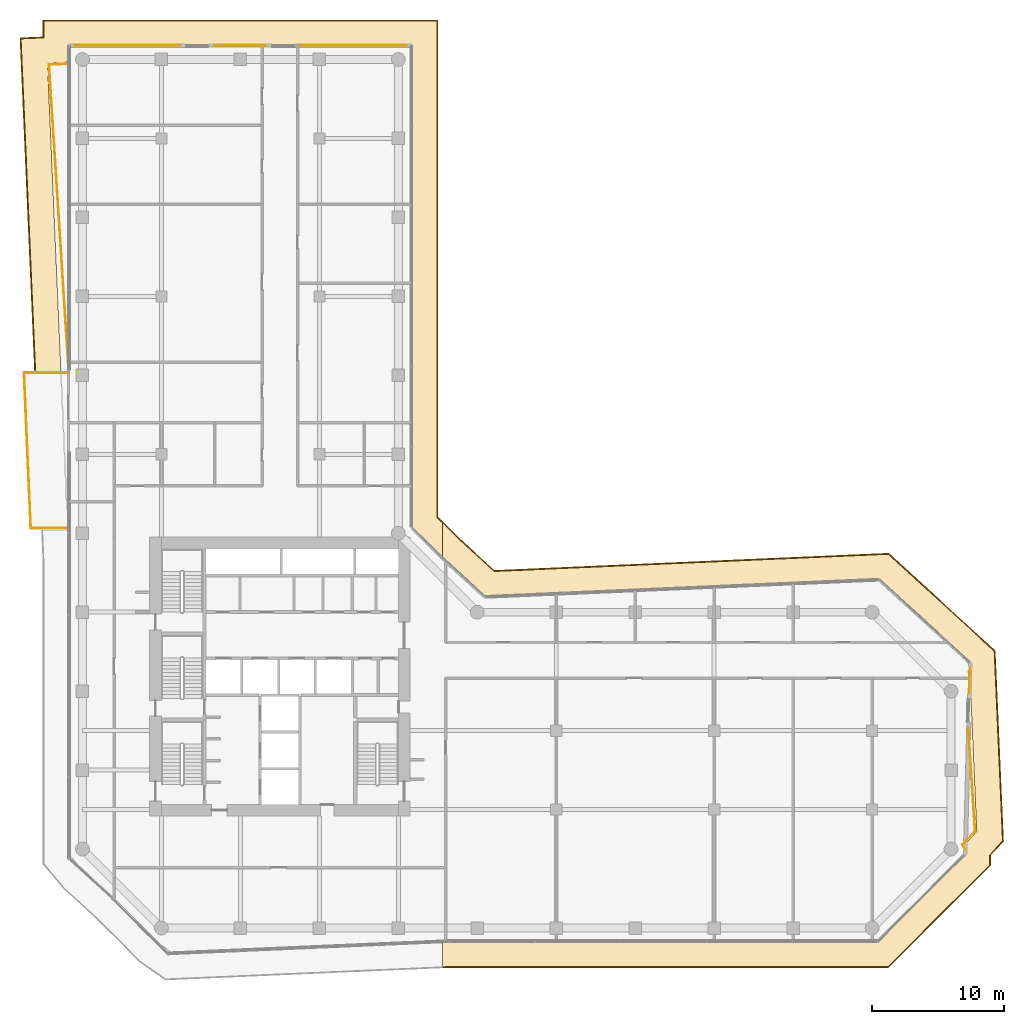
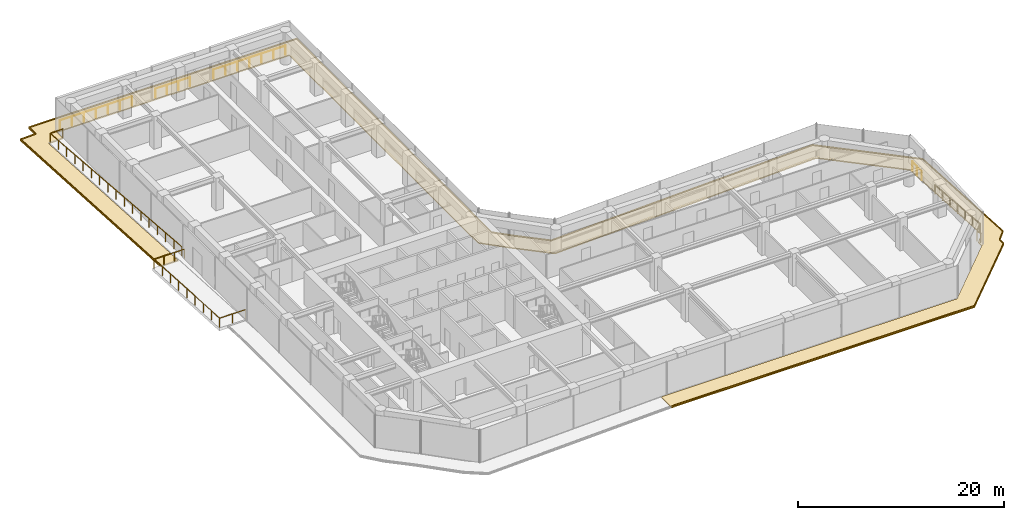
# One storey, part 29 of 29: 7 railings, 4 coverings.
"""IFC4 building model written with IfcOpenShell, lengths in metres."""

from ifc_helpers import new_model, si_unit, direction, frame, origin, origin_2d, place, context, subcontext, project, spatial, polyline, circle, outline, extrude, material, layer, layer_set, type_object, element, save


model = new_model("IFC4")

# Units and contexts
model_context = context("Model", 3, precision=1e-05, world=origin(), true_north=direction((0.0, 1.0)))
body_context = subcontext(model_context, "Body", "Model", "MODEL_VIEW")
ifc_project = project(units=[si_unit("LENGTHUNIT", "METRE"), si_unit("AREAUNIT", "SQUARE_METRE"), si_unit("VOLUMEUNIT", "CUBIC_METRE"), si_unit("PLANEANGLEUNIT", "RADIAN"), si_unit("MASSUNIT", "GRAM", prefix="KILO")], contexts=[model_context])

# Site, building, storey
site_placement = place(None, origin())
site = spatial("IfcSite", under=ifc_project, at=site_placement, CompositionType="ELEMENT")
building_placement = place(site_placement, origin())
building = spatial("IfcBuilding", under=site, at=building_placement, Name="Welwitschia Terrace Campus", CompositionType="ELEMENT")
storey_placement = place(building_placement, frame((0.0, 0.0, 62.60009765625)))
storey = spatial("IfcBuildingStorey", under=building, at=storey_placement, Name="L14", CompositionType="ELEMENT", Elevation=62.60009765625)

# Railings
ifc_material_1 = material(Name="Stainless steel grade 316", Category="steel")
railing_type = type_object("IfcRailingType", Name="Guard 1100", PredefinedType="GUARDRAIL", material=ifc_material_1)
railing_1_placement = place(storey_placement, frame((-1.05810546875, 26.392822265625, 0.0)))
element("IfcRailing", 1, at=railing_1_placement, inside=storey, type_object=railing_type, Name="Guard terrace L14:0:0.0", PredefinedType="GUARDRAIL", context=body_context, shape_type="SweptSolid", body=[
    extrude(circle(Radius=0.02392578125, at=origin_2d()), frame((0.0, 0.0, 1.076171875), z_axis=(-1.0, 0.0, 0.0), x_axis=(0.0, -1.0, 0.0)), (0.0, 0.0, 1.0), 2.863525390625),
    extrude(circle(Radius=0.02392578125, at=origin_2d()), frame((-2.863525390625, 0.0, 1.076171875), z_axis=(-0.043613933543, 0.999048459686, 0.0), x_axis=(-0.999048459686, -0.043613933543, 0.0)), (0.0, 0.0, 1.0), 11.811279296875),
    extrude(circle(Radius=0.02392578125, at=origin_2d()), frame((-3.378662109375, 11.800048828125, 1.076171875), z_axis=(1.0, 0.0, 0.0), x_axis=(0.0, 1.0, 0.0)), (0.0, 0.0, 1.0), 3.378662109375),
    extrude(circle(Radius=0.02099609375, at=origin_2d()), origin(), (0.0, 0.0, 1.0), 1.052001953125),
    extrude(circle(Radius=0.02099609375, at=origin_2d()), frame((-1.431640625, 0.0, 0.0)), (0.0, 0.0, 1.0), 1.052001953125),
    extrude(circle(Radius=0.02099609375, at=origin_2d()), frame((-2.863525390625, 0.0, 0.0)), (0.0, 0.0, 1.0), 1.052001953125),
    extrude(circle(Radius=0.02099609375, at=origin_2d()), frame((-2.927978515625, 1.47509765625, 0.0)), (0.0, 0.0, 1.0), 1.052001953125),
    extrude(circle(Radius=0.02099609375, at=origin_2d()), frame((-2.9921875, 2.949951171875, 0.0)), (0.0, 0.0, 1.0), 1.052001953125),
    extrude(circle(Radius=0.02099609375, at=origin_2d()), frame((-3.056640625, 4.425048828125, 0.0)), (0.0, 0.0, 1.0), 1.052001953125),
    extrude(circle(Radius=0.02099609375, at=origin_2d()), frame((-3.12109375, 5.89990234375, 0.0)), (0.0, 0.0, 1.0), 1.052001953125),
    extrude(circle(Radius=0.02099609375, at=origin_2d()), frame((-3.185546875, 7.375, 0.0)), (0.0, 0.0, 1.0), 1.052001953125),
    extrude(circle(Radius=0.02099609375, at=origin_2d()), frame((-3.25, 8.85009765625, 0.0)), (0.0, 0.0, 1.0), 1.052001953125),
    extrude(circle(Radius=0.02099609375, at=origin_2d()), frame((-3.314208984375, 10.324951171875, 0.0)), (0.0, 0.0, 1.0), 1.052001953125),
    extrude(circle(Radius=0.02099609375, at=origin_2d()), frame((-3.378662109375, 11.800048828125, 0.0)), (0.0, 0.0, 1.0), 1.052001953125),
    extrude(circle(Radius=0.02099609375, at=origin_2d()), frame((-2.25244140625, 11.800048828125, 0.0)), (0.0, 0.0, 1.0), 1.052001953125),
    extrude(circle(Radius=0.02099609375, at=origin_2d()), frame((-1.126220703125, 11.800048828125, 0.0)), (0.0, 0.0, 1.0), 1.052001953125),
    extrude(circle(Radius=0.02099609375, at=origin_2d()), frame((0.0, 11.800048828125, 0.0)), (0.0, 0.0, 1.0), 1.052001953125),
])
railing_2_placement = place(storey_placement, frame((-1.05810546875, 38.642822265625, 0.0)))
element("IfcRailing", 2, at=railing_2_placement, inside=storey, type_object=railing_type, Name="Guard floor edge L14.0", PredefinedType="GUARDRAIL", context=body_context, shape_type="SweptSolid", body=[
    extrude(circle(Radius=0.02392578125, at=origin_2d()), frame((0.0, 0.0, 1.076171875), z_axis=(-0.064226920351, 0.997935319899, 0.0), x_axis=(-0.997935319899, -0.064226920351, 0.0)), (0.0, 0.0, 1.0), 23.020263671875),
    extrude(circle(Radius=0.02392578125, at=origin_2d()), frame((-1.478515625, 22.97265625, 1.076171875), z_axis=(0.999538753205, 0.030369077046, 0.0), x_axis=(-0.030369077046, 0.999538753205, 0.0)), (0.0, 0.0, 1.0), 1.479248046875),
    extrude(circle(Radius=0.02099609375, at=origin_2d()), origin(), (0.0, 0.0, 1.0), 1.052001953125),
    extrude(circle(Radius=0.02099609375, at=origin_2d()), frame((-0.09228515625, 1.435791015625, 0.0)), (0.0, 0.0, 1.0), 1.052001953125),
    extrude(circle(Radius=0.02099609375, at=origin_2d()), frame((-0.184814453125, 2.87158203125, 0.0)), (0.0, 0.0, 1.0), 1.052001953125),
    extrude(circle(Radius=0.02099609375, at=origin_2d()), frame((-0.27734375, 4.307373046875, 0.0)), (0.0, 0.0, 1.0), 1.052001953125),
    extrude(circle(Radius=0.02099609375, at=origin_2d()), frame((-0.36962890625, 5.7431640625, 0.0)), (0.0, 0.0, 1.0), 1.052001953125),
    extrude(circle(Radius=0.02099609375, at=origin_2d()), frame((-0.4619140625, 7.178955078125, 0.0)), (0.0, 0.0, 1.0), 1.052001953125),
    extrude(circle(Radius=0.02099609375, at=origin_2d()), frame((-0.554443359375, 8.61474609375, 0.0)), (0.0, 0.0, 1.0), 1.052001953125),
    extrude(circle(Radius=0.02099609375, at=origin_2d()), frame((-0.64697265625, 10.050537109375, 0.0)), (0.0, 0.0, 1.0), 1.052001953125),
    extrude(circle(Radius=0.02099609375, at=origin_2d()), frame((-0.7392578125, 11.486328125, 0.0)), (0.0, 0.0, 1.0), 1.052001953125),
    extrude(circle(Radius=0.02099609375, at=origin_2d()), frame((-0.83154296875, 12.922119140625, 0.0)), (0.0, 0.0, 1.0), 1.052001953125),
    extrude(circle(Radius=0.02099609375, at=origin_2d()), frame((-0.924072265625, 14.35791015625, 0.0)), (0.0, 0.0, 1.0), 1.052001953125),
    extrude(circle(Radius=0.02099609375, at=origin_2d()), frame((-1.0166015625, 15.793701171875, 0.0)), (0.0, 0.0, 1.0), 1.052001953125),
    extrude(circle(Radius=0.02099609375, at=origin_2d()), frame((-1.10888671875, 17.2294921875, 0.0)), (0.0, 0.0, 1.0), 1.052001953125),
    extrude(circle(Radius=0.02099609375, at=origin_2d()), frame((-1.201171875, 18.665283203125, 0.0)), (0.0, 0.0, 1.0), 1.052001953125),
    extrude(circle(Radius=0.02099609375, at=origin_2d()), frame((-1.293701171875, 20.10107421875, 0.0)), (0.0, 0.0, 1.0), 1.052001953125),
    extrude(circle(Radius=0.02099609375, at=origin_2d()), frame((-1.38623046875, 21.536865234375, 0.0)), (0.0, 0.0, 1.0), 1.052001953125),
    extrude(circle(Radius=0.02099609375, at=origin_2d()), frame((-1.478515625, 22.97265625, 0.0)), (0.0, 0.0, 1.0), 1.052001953125),
    extrude(circle(Radius=0.02099609375, at=origin_2d()), frame((0.0, 23.017578125, 0.0)), (0.0, 0.0, 1.0), 1.052001953125),
])
railing_3_placement = place(storey_placement, frame((-0.60791015625, 63.05810546875, 0.0)))
element("IfcRailing", 3, at=railing_3_placement, inside=storey, type_object=railing_type, Name="Guard floor edge L14.1", PredefinedType="GUARDRAIL", context=body_context, shape_type="SweptSolid", body=[
    extrude(circle(Radius=0.02392578125, at=origin_2d()), frame((0.0, 0.0, 1.076171875), z_axis=(1.0, 0.0, 0.0), x_axis=(0.0, 1.0, 0.0)), (0.0, 0.0, 1.0), 8.030517578125),
    extrude(circle(Radius=0.02099609375, at=origin_2d()), origin(), (0.0, 0.0, 1.0), 1.052001953125),
    extrude(circle(Radius=0.02099609375, at=origin_2d()), frame((1.33837890625, 0.0, 0.0)), (0.0, 0.0, 1.0), 1.052001953125),
    extrude(circle(Radius=0.02099609375, at=origin_2d()), frame((2.6767578125, 0.0, 0.0)), (0.0, 0.0, 1.0), 1.052001953125),
    extrude(circle(Radius=0.02099609375, at=origin_2d()), frame((4.01513671875, 0.0, 0.0)), (0.0, 0.0, 1.0), 1.052001953125),
    extrude(circle(Radius=0.02099609375, at=origin_2d()), frame((5.353759765625, 0.0, 0.0)), (0.0, 0.0, 1.0), 1.052001953125),
    extrude(circle(Radius=0.02099609375, at=origin_2d()), frame((6.692138671875, 0.0, 0.0)), (0.0, 0.0, 1.0), 1.052001953125),
    extrude(circle(Radius=0.02099609375, at=origin_2d()), frame((8.030517578125, 0.0, 0.0)), (0.0, 0.0, 1.0), 1.052001953125),
])
railing_4_placement = place(storey_placement, frame((10.048583984375, 63.05810546875, 0.0)))
element("IfcRailing", 4, at=railing_4_placement, inside=storey, type_object=railing_type, Name="Guard floor edge L14.2", PredefinedType="GUARDRAIL", context=body_context, shape_type="SweptSolid", body=[
    extrude(circle(Radius=0.02392578125, at=origin_2d()), frame((0.0, 0.0, 1.076171875), z_axis=(1.0, 0.0, 0.0), x_axis=(0.0, 1.0, 0.0)), (0.0, 0.0, 1.0), 3.90283203125),
    extrude(circle(Radius=0.02099609375, at=origin_2d()), origin(), (0.0, 0.0, 1.0), 1.052001953125),
    extrude(circle(Radius=0.02099609375, at=origin_2d()), frame((1.301025390625, 0.0, 0.0)), (0.0, 0.0, 1.0), 1.052001953125),
    extrude(circle(Radius=0.02099609375, at=origin_2d()), frame((2.601806640625, 0.0, 0.0)), (0.0, 0.0, 1.0), 1.052001953125),
    extrude(circle(Radius=0.02099609375, at=origin_2d()), frame((3.90283203125, 0.0, 0.0)), (0.0, 0.0, 1.0), 1.052001953125),
])
railing_5_placement = place(storey_placement, frame((16.577392578125, 63.05810546875, 0.0)))
element("IfcRailing", 5, at=railing_5_placement, inside=storey, type_object=railing_type, Name="Guard floor edge L14.3", PredefinedType="GUARDRAIL", context=body_context, shape_type="SweptSolid", body=[
    extrude(circle(Radius=0.02392578125, at=origin_2d()), frame((0.0, 0.0, 1.076171875), z_axis=(1.0, 0.0, 0.0), x_axis=(0.0, 1.0, 0.0)), (0.0, 0.0, 1.0), 8.030517578125),
    extrude(circle(Radius=0.02099609375, at=origin_2d()), origin(), (0.0, 0.0, 1.0), 1.052001953125),
    extrude(circle(Radius=0.02099609375, at=origin_2d()), frame((1.33837890625, 0.0, 0.0)), (0.0, 0.0, 1.0), 1.052001953125),
    extrude(circle(Radius=0.02099609375, at=origin_2d()), frame((2.6767578125, 0.0, 0.0)), (0.0, 0.0, 1.0), 1.052001953125),
    extrude(circle(Radius=0.02099609375, at=origin_2d()), frame((4.01513671875, 0.0, 0.0)), (0.0, 0.0, 1.0), 1.052001953125),
    extrude(circle(Radius=0.02099609375, at=origin_2d()), frame((5.353759765625, 0.0, 0.0)), (0.0, 0.0, 1.0), 1.052001953125),
    extrude(circle(Radius=0.02099609375, at=origin_2d()), frame((6.692138671875, 0.0, 0.0)), (0.0, 0.0, 1.0), 1.052001953125),
    extrude(circle(Radius=0.02099609375, at=origin_2d()), frame((8.030517578125, 0.0, 0.0)), (0.0, 0.0, 1.0), 1.052001953125),
])
railing_6_placement = place(storey_placement, frame((67.31640625, 11.212646484375, 0.0)))
element("IfcRailing", 6, at=railing_6_placement, inside=storey, type_object=railing_type, Name="Guard floor edge L14.4", PredefinedType="GUARDRAIL", context=body_context, shape_type="SweptSolid", body=[
    extrude(circle(Radius=0.02392578125, at=origin_2d()), frame((0.0, 0.0, 1.076171875), z_axis=(0.065513001735, -0.997851715739, 0.0), x_axis=(0.997851715739, 0.065513001735, 0.0)), (0.0, 0.0, 1.0), 7.844482421875),
    extrude(circle(Radius=0.02392578125, at=origin_2d()), frame((0.513916015625, -7.82763671875, 1.076171875), z_axis=(-0.675630316549, -0.737240581737, 0.0), x_axis=(0.737240581737, -0.675630316549, 0.0)), (0.0, 0.0, 1.0), 1.40673828125),
    extrude(circle(Radius=0.02392578125, at=origin_2d()), frame((-0.4365234375, -8.86474609375, 1.076171875), z_axis=(0.446982581835, -0.894542660546, 0.0), x_axis=(0.894542660546, 0.446982581835, 0.0)), (0.0, 0.0, 1.0), 0.4228515625),
    extrude(circle(Radius=0.02099609375, at=origin_2d()), origin(), (0.0, 0.0, 1.0), 1.052001953125),
    extrude(circle(Radius=0.02099609375, at=origin_2d()), frame((0.085693359375, -1.3046875, 0.0)), (0.0, 0.0, 1.0), 1.052001953125),
    extrude(circle(Radius=0.02099609375, at=origin_2d()), frame((0.17138671875, -2.609130859375, 0.0)), (0.0, 0.0, 1.0), 1.052001953125),
    extrude(circle(Radius=0.02099609375, at=origin_2d()), frame((0.2568359375, -3.913818359375, 0.0)), (0.0, 0.0, 1.0), 1.052001953125),
    extrude(circle(Radius=0.02099609375, at=origin_2d()), frame((0.342529296875, -5.218505859375, 0.0)), (0.0, 0.0, 1.0), 1.052001953125),
    extrude(circle(Radius=0.02099609375, at=origin_2d()), frame((0.42822265625, -6.52294921875, 0.0)), (0.0, 0.0, 1.0), 1.052001953125),
    extrude(circle(Radius=0.02099609375, at=origin_2d()), frame((0.513916015625, -7.82763671875, 0.0)), (0.0, 0.0, 1.0), 1.052001953125),
    extrude(circle(Radius=0.02099609375, at=origin_2d()), frame((-0.4365234375, -8.86474609375, 0.0)), (0.0, 0.0, 1.0), 1.052001953125),
    extrude(circle(Radius=0.02099609375, at=origin_2d()), frame((-0.24755859375, -9.242919921875, 0.0)), (0.0, 0.0, 1.0), 1.052001953125),
])
railing_7_placement = place(storey_placement, frame((67.438232421875, 15.7587890625, 0.0)))
element("IfcRailing", 7, at=railing_7_placement, inside=storey, type_object=railing_type, Name="Guard floor edge L14.5", PredefinedType="GUARDRAIL", context=body_context, shape_type="SweptSolid", body=[
    extrude(circle(Radius=0.02392578125, at=origin_2d()), frame((0.0, 0.0, 1.076171875), z_axis=(-0.035007071542, -0.999387064626, 0.0), x_axis=(0.999387064626, -0.035007071542, 0.0)), (0.0, 0.0, 1.0), 1.883056640625),
    extrude(circle(Radius=0.02099609375, at=origin_2d()), origin(), (0.0, 0.0, 1.0), 1.052001953125),
    extrude(circle(Radius=0.02099609375, at=origin_2d()), frame((-0.032958984375, -0.94091796875, 0.0)), (0.0, 0.0, 1.0), 1.052001953125),
    extrude(circle(Radius=0.02099609375, at=origin_2d()), frame((-0.06591796875, -1.8818359375, 0.0)), (0.0, 0.0, 1.0), 1.052001953125),
])

# Coverings
ifc_material_2 = material(Name="Bronze anodised aluminium", Category="aluminium")
ifc_layer_1 = layer(ifc_material_2, 0.1201171875)
ifc_layer_set_1 = layer_set([ifc_layer_1], Name="Bronze anodised aluminium")
covering_type_1 = type_object("IfcCoveringType", Name="Sunshade band 2000", PredefinedType="USERDEFINED", material=ifc_layer_set_1)
covering_1_placement = place(storey_placement, frame((0.0, 0.0, -0.25)))
element("IfcCovering", 8, at=covering_1_placement, inside=storey, type_object=covering_type_1, Name="SUNSHADE L14.SW1", ObjectType="SUNSHADE", PredefinedType="USERDEFINED", context=body_context, shape_type="SweptSolid", body=[
    extrude(outline(polyline([(27.338134765625, 24.087646484375), (25.0, 26.414306640625), (25.0, 63.0), (-1.0, 63.0), (-1.0, 61.802734375), (-2.661865234375, 61.72998046875), (-1.640625, 38.343017578125), (-3.642578125, 38.343017578125), (-4.747314453125, 63.64111328125), (-3.0, 63.71728515625), (-3.0, 65.0), (27.0, 65.0), (27.0, 27.24267578125), (27.338134765625, 26.904541015625), (27.338134765625, 24.087646484375)])), origin(), (0.0, 0.0, 1.0), 0.119873046875),
])
covering_2_placement = place(storey_placement, frame((0.0, 0.0, -0.25)))
element("IfcCovering", 9, at=covering_2_placement, inside=storey, type_object=covering_type_1, Name="SUNSHADE L14.SE0", ObjectType="SUNSHADE", PredefinedType="USERDEFINED", context=body_context, shape_type="SweptSolid", body=[
    extrude(outline(polyline([(27.907470703125, -5.0), (60.414306640625, -5.0), (67.0, 1.585693359375), (67.0, 2.30126953125), (67.952392578125, 3.340576171875), (67.392578125, 16.15673828125), (60.52587890625, 22.448974609375), (30.554443359375, 21.140380859375), (27.338134765625, 24.087646484375), (27.338134765625, 26.904541015625), (28.583740234375, 25.658935546875), (31.294921875, 23.174560546875), (61.266357421875, 24.483154296875), (69.354736328125, 17.071533203125), (69.986572265625, 2.60009765625), (69.0, 1.5234375), (69.0, 0.75732421875), (61.24267578125, -7.0), (27.951171875, -7.0), (27.338134765625, -7.02685546875), (27.338134765625, -5.02490234375), (27.907470703125, -5.0)])), origin(), (0.0, 0.0, 1.0), 0.119873046875),
])
ifc_material_3 = material(Name="Bronze anodised aluminium", Category="aluminium")
ifc_layer_2 = layer(ifc_material_3, 0.06005859375)
ifc_layer_set_2 = layer_set([ifc_layer_2], Name="Bronze anodised aluminium")
covering_type_2 = type_object("IfcCoveringType", Name="Sunshade lip 60", PredefinedType="USERDEFINED", material=ifc_layer_set_2)
covering_3_placement = place(storey_placement, frame((0.0, 0.0, -0.130126953125)))
element("IfcCovering", 10, at=covering_3_placement, inside=storey, type_object=covering_type_2, Name="SUNSHADE LIP L14.SW1.0", ObjectType="SUNSHADE", PredefinedType="USERDEFINED", context=body_context, shape_type="SweptSolid", body=[
    extrude(outline(polyline([(-3.642578125, 38.343017578125), (-4.747314453125, 63.64111328125), (-3.0, 63.71728515625), (-3.0, 65.0), (27.0, 65.0), (27.0, 27.24267578125), (27.338134765625, 26.904541015625), (27.338134765625, 26.819580078125), (26.93994140625, 27.2177734375), (26.93994140625, 64.93994140625), (-2.93994140625, 64.93994140625), (-2.93994140625, 63.659912109375), (-4.6845703125, 63.58349609375), (-3.58251953125, 38.343017578125), (-3.642578125, 38.343017578125)])), origin(), (0.0, 0.0, 1.0), 0.130126953125),
])
covering_4_placement = place(storey_placement, frame((0.0, 0.0, -0.130126953125)))
element("IfcCovering", 11, at=covering_4_placement, inside=storey, type_object=covering_type_2, Name="SUNSHADE LIP L14.SE0.0", ObjectType="SUNSHADE", PredefinedType="USERDEFINED", context=body_context, shape_type="SweptSolid", body=[
    extrude(outline(polyline([(27.338134765625, 26.904541015625), (28.583740234375, 25.658935546875), (31.294921875, 23.174560546875), (61.266357421875, 24.483154296875), (69.354736328125, 17.071533203125), (69.986572265625, 2.60009765625), (69.0, 1.5234375), (69.0, 0.75732421875), (61.24267578125, -7.0), (27.951171875, -7.0), (27.338134765625, -7.02685546875), (27.338134765625, -6.966796875), (27.94970703125, -6.93994140625), (61.2177734375, -6.93994140625), (68.93994140625, 0.7822265625), (68.93994140625, 1.546875), (69.925537109375, 2.622314453125), (69.2958984375, 17.044189453125), (61.244140625, 24.422119140625), (31.272705078125, 23.113525390625), (28.542236328125, 25.615478515625), (27.338134765625, 26.819580078125), (27.338134765625, 26.904541015625)])), origin(), (0.0, 0.0, 1.0), 0.130126953125),
])

save(model, "model.ifc")
